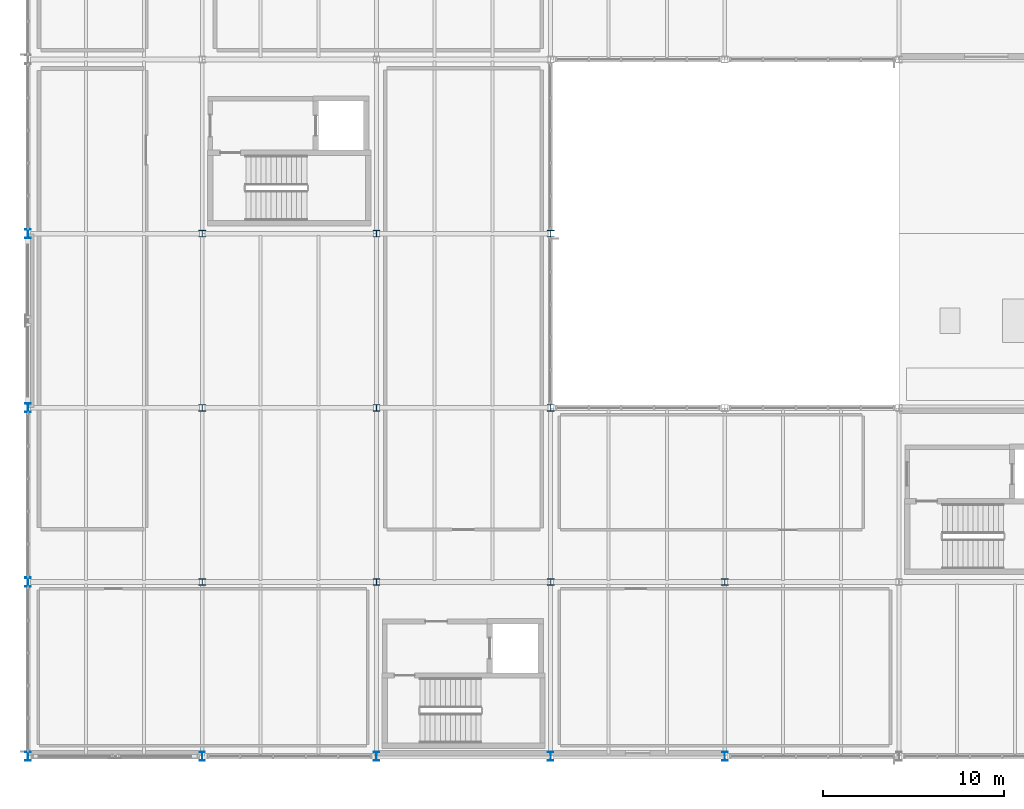
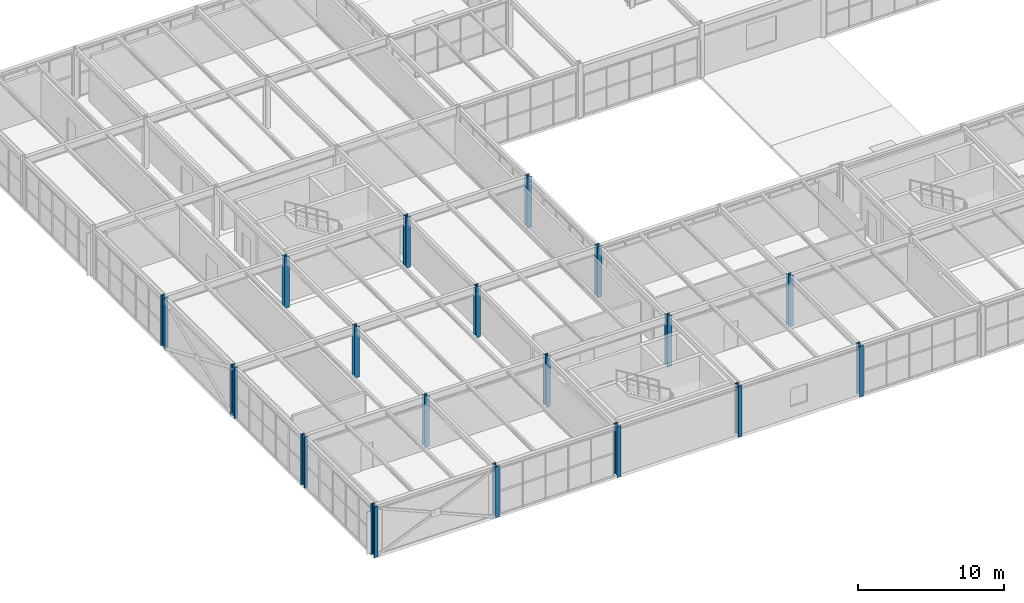
# One storey, part 1 of 170: 18 columns.
"""IFC4 building model written with IfcOpenShell, lengths in metres."""

from ifc_helpers import new_model, si_unit, direction, frame, origin, origin_2d, place, context, subcontext, project, spatial, i_section, extrude, material, material_profile, profile_set, type_object, element, save


model = new_model("IFC4")

# Units and contexts
model_context = context("Model", 3, precision=1e-05, world=origin(), true_north=direction((0.0, 1.0)))
body_context = subcontext(model_context, "Body", "Model", "MODEL_VIEW")
ifc_project = project(units=[si_unit("LENGTHUNIT", "METRE"), si_unit("AREAUNIT", "SQUARE_METRE"), si_unit("VOLUMEUNIT", "CUBIC_METRE"), si_unit("PLANEANGLEUNIT", "RADIAN"), si_unit("MASSUNIT", "GRAM", prefix="KILO")], contexts=[model_context])

# Site, building, storey
site_placement = place(None, origin())
site = spatial("IfcSite", under=ifc_project, at=site_placement, CompositionType="ELEMENT")
building_placement = place(site_placement, origin())
building = spatial("IfcBuilding", under=site, at=building_placement, Name="Coralgate Yard Interchange", CompositionType="ELEMENT")
storey_placement = place(building_placement, frame((0.0, 0.0, 6.0)))
storey = spatial("IfcBuildingStorey", under=building, at=storey_placement, Name="L01", CompositionType="ELEMENT", Elevation=6.0)

# Columns
ifc_material = material(Name="Structural steel S355J2", Category="steel")
ifc_material_profile_1 = material_profile(ifc_material, i_section(OverallWidth=0.300048828125, OverallDepth=0.5, WebThickness=0.014404296875, FlangeThickness=0.028076171875, FilletRadius=0.027099609375, at=origin_2d()), Name="HEB 500")
ifc_profile_set_1 = profile_set([ifc_material_profile_1], Name="Structural steel S355J2")
column_type_1 = type_object("IfcColumnType", Name="COL-SC-10", PredefinedType="COLUMN", material=ifc_profile_set_1)
for number, where, z_axis, x_axis, name in (
    (1, (0.0, 0.0, 0.0), (0.0, 0.0, 1.0), (1.0, 0.0, 0.0), "L01 structural column 0-0"),
    (2, (0.0, 9.60009765625, 0.0), (0.0, 0.0, 1.0), (1.0, 0.0, 0.0), "L01 structural column 0-1"),
    (3, (0.0, 19.199951171875, 0.0), (0.0, 0.0, 1.0), (1.0, 0.0, 0.0), "L01 structural column 0-2"),
    (4, (0.0, 28.800048828125, 0.0), (0.0, 0.0, 1.0), (1.0, 0.0, 0.0), "L01 structural column 0-3"),
    (5, (9.60009765625, 0.0, 0.0), (0.0, 0.0, 1.0), (1.0, 0.0, 0.0), "L01 structural column 1-0"),
    (6, (19.199951171875, 0.0, 0.0), (0.0, 0.0, 1.0), (1.0, 0.0, 0.0), "L01 structural column 2-0"),
    (7, (28.800048828125, 0.0, 0.0), (0.0, 0.0, 1.0), (1.0, 0.0, 0.0), "L01 structural column 3-0"),
    (8, (38.39990234375, 0.0, 0.0), (0.0, 0.0, 1.0), (1.0, 0.0, 0.0), "L01 structural column 4-0"),
):
    element("IfcColumn", number, at=place(storey_placement, frame(where, z_axis=z_axis, x_axis=x_axis)), inside=storey, type_object=column_type_1, Name=name, PredefinedType="COLUMN", context=body_context, shape_type="SweptSolid", body=[
        extrude(i_section(OverallWidth=0.300048828125, OverallDepth=0.5, WebThickness=0.014404296875, FlangeThickness=0.028076171875, FilletRadius=0.027099609375, at=origin_2d()), origin(), (0.0, 0.0, 1.0), 4.25),
    ])
ifc_material_profile_2 = material_profile(ifc_material, i_section(OverallWidth=0.37255859375, OverallDepth=0.3681640625, WebThickness=0.014404296875, FlangeThickness=0.023681640625, FilletRadius=0.01513671875, at=origin_2d()), Name="UC 356x368x177")
ifc_profile_set_2 = profile_set([ifc_material_profile_2], Name="Structural steel S355J2")
column_type_2 = type_object("IfcColumnType", Name="COL-SC-3", PredefinedType="COLUMN", material=ifc_profile_set_2)
for number, where, z_axis, x_axis, name in (
    (9, (9.60009765625, 9.60009765625, 0.0), (0.0, 0.0, 1.0), (1.0, 0.0, 0.0), "L01 structural column 1-1"),
    (10, (9.60009765625, 19.199951171875, 0.0), (0.0, 0.0, 1.0), (1.0, 0.0, 0.0), "L01 structural column 1-2"),
    (11, (9.60009765625, 28.800048828125, 0.0), (0.0, 0.0, 1.0), (1.0, 0.0, 0.0), "L01 structural column 1-3"),
    (12, (19.199951171875, 9.60009765625, 0.0), (0.0, 0.0, 1.0), (1.0, 0.0, 0.0), "L01 structural column 2-1"),
    (13, (19.199951171875, 19.199951171875, 0.0), (0.0, 0.0, 1.0), (1.0, 0.0, 0.0), "L01 structural column 2-2"),
    (14, (19.199951171875, 28.800048828125, 0.0), (0.0, 0.0, 1.0), (1.0, 0.0, 0.0), "L01 structural column 2-3"),
    (15, (28.800048828125, 9.60009765625, 0.0), (0.0, 0.0, 1.0), (1.0, 0.0, 0.0), "L01 structural column 3-1"),
    (16, (28.800048828125, 19.199951171875, 0.0), (0.0, 0.0, 1.0), (1.0, 0.0, 0.0), "L01 structural column 3-2"),
    (17, (28.800048828125, 28.800048828125, 0.0), (0.0, 0.0, 1.0), (1.0, 0.0, 0.0), "L01 structural column 3-3"),
    (18, (38.39990234375, 9.60009765625, 0.0), (0.0, 0.0, 1.0), (1.0, 0.0, 0.0), "L01 structural column 4-1"),
):
    element("IfcColumn", number, at=place(storey_placement, frame(where, z_axis=z_axis, x_axis=x_axis)), inside=storey, type_object=column_type_2, Name=name, PredefinedType="COLUMN", context=body_context, shape_type="SweptSolid", body=[
        extrude(i_section(OverallWidth=0.37255859375, OverallDepth=0.3681640625, WebThickness=0.014404296875, FlangeThickness=0.023681640625, FilletRadius=0.01513671875, at=origin_2d()), origin(), (0.0, 0.0, 1.0), 4.25),
    ])

save(model, "model.ifc")
